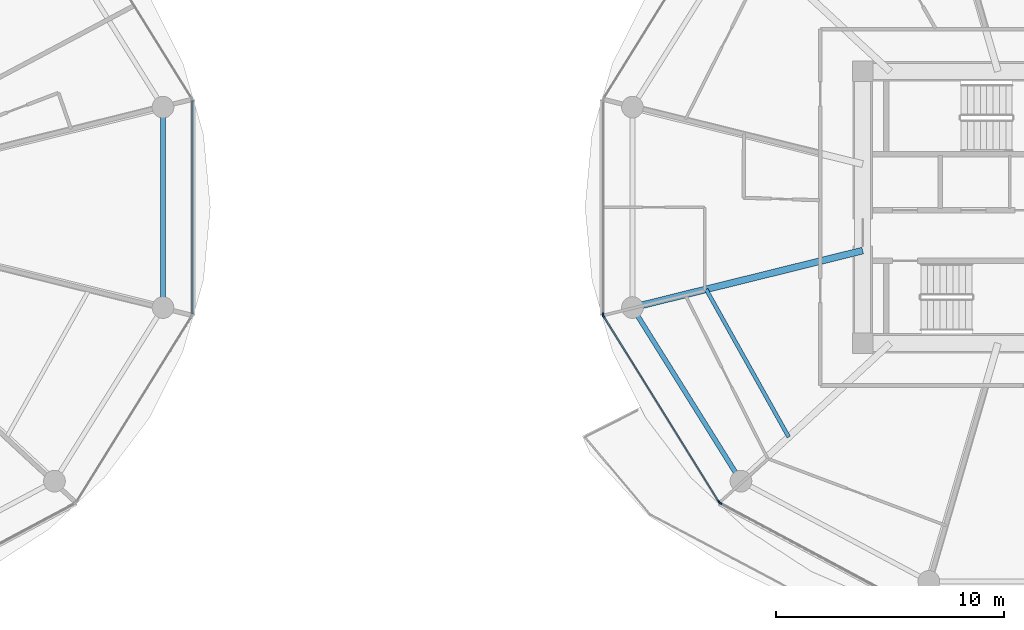
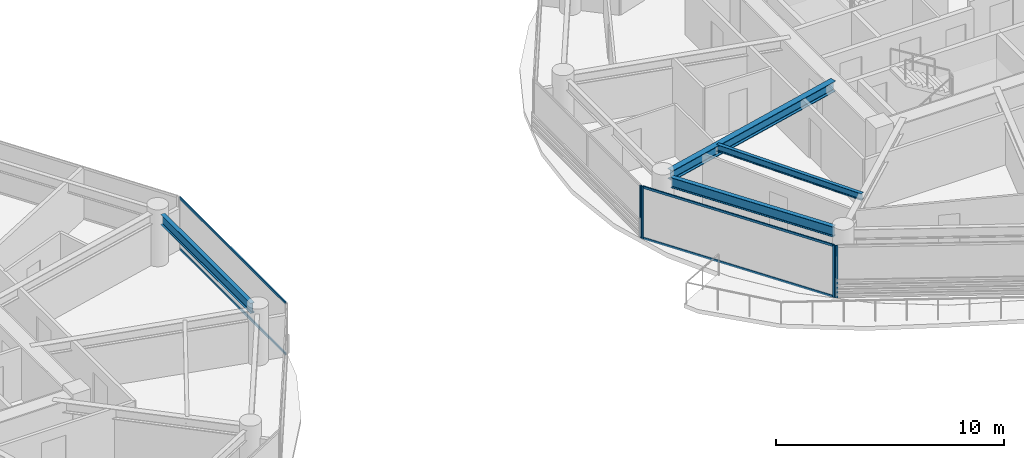
# One storey, part 6 of 25: 8 members, 4 beams, 4 elements without a shape of their own.
"""IFC4 building model written with IfcOpenShell, lengths in metres."""

from ifc_helpers import new_model, si_unit, direction, frame, origin, origin_2d, place, context, subcontext, project, spatial, rectangle, i_section, extrude, source, transform, mapped, material, layer, layer_set, material_profile, profile_set, type_object, type_shapes, element, aggregate, save


model = new_model("IFC4")

# Units and contexts
model_context = context("Model", 3, precision=1e-05, world=origin(), true_north=direction((0.0, 1.0)))
body_context = subcontext(model_context, "Body", "Model", "MODEL_VIEW")
ifc_project = project(units=[si_unit("LENGTHUNIT", "METRE"), si_unit("AREAUNIT", "SQUARE_METRE"), si_unit("VOLUMEUNIT", "CUBIC_METRE"), si_unit("PLANEANGLEUNIT", "RADIAN"), si_unit("MASSUNIT", "GRAM", prefix="KILO")], contexts=[model_context])

# Site, building, storey
site_placement = place(None, origin())
site = spatial("IfcSite", under=ifc_project, at=site_placement, CompositionType="ELEMENT")
building_placement = place(site_placement, origin())
building = spatial("IfcBuilding", under=site, at=building_placement, Name="Norrkilde Senior Care Towers", CompositionType="ELEMENT")
storey_placement = place(building_placement, frame((0.0, 0.0, 27.699951171875)))
storey = spatial("IfcBuildingStorey", under=building, at=storey_placement, Name="L07", CompositionType="ELEMENT", Elevation=27.699951171875)

# Beams
ifc_material_1 = material(Name="Steel S355", Category="steel")
ifc_material_profile_1 = material_profile(ifc_material_1, i_section(OverallWidth=0.2099609375, OverallDepth=0.550048828125, WebThickness=0.010986328125, FlangeThickness=0.01708984375, FilletRadius=0.02392578125, at=origin_2d()), Name="IPE 550")
ifc_profile_set_1 = profile_set([ifc_material_profile_1], Name="Steel S355")
beam_type_1 = type_object("IfcBeamType", Name="Perimeter Ring Spandrel Z1 IPE550", PredefinedType="SPANDREL", material=ifc_profile_set_1)
shared_shape_1 = source(origin(), body_context, "Body", "SweptSolid", [
    extrude(i_section(OverallWidth=0.2099609375, OverallDepth=0.550048828125, WebThickness=0.010986328125, FlangeThickness=0.01708984375, FilletRadius=0.02392578125, at=origin_2d()), origin(), (0.0, 0.0, 1.0), 8.090576171875),
])
beam_1_placement = place(storey_placement, frame((10.505859375, -4.755859375, 2.51513671875), z_axis=(0.530004364821, -0.84799491347, 0.0), x_axis=(0.84799491347, 0.530004364821, 0.0)))
element("IfcBeam", 1, at=beam_1_placement, inside=storey, type_object=beam_type_1, Name="L07 Drum E Perimeter Spandrel 07", PredefinedType="SPANDREL", context=body_context, shape_type="MappedRepresentation", body=[
    mapped(shared_shape_1, transform((0.0, 0.0, 0.0), x_axis=(1.0, 0.0, 0.0), y_axis=(0.0, 1.0, 0.0), z_axis=(0.0, 0.0, 1.0), scale=1.0)),
])
ifc_material_profile_2 = material_profile(ifc_material_1, i_section(OverallWidth=0.300048828125, OverallDepth=0.550048828125, WebThickness=0.014892578125, FlangeThickness=0.029052734375, FilletRadius=0.027099609375, at=origin_2d()), Name="HEB 550")
ifc_profile_set_2 = profile_set([ifc_material_profile_2], Name="Steel S355")
beam_type_2 = type_object("IfcBeamType", Name="Radial Floor Beam Z1 HEB550", PredefinedType="BEAM", material=ifc_profile_set_2)
shared_shape_2 = source(origin(), body_context, "Body", "SweptSolid", [
    extrude(i_section(OverallWidth=0.300048828125, OverallDepth=0.550048828125, WebThickness=0.014892578125, FlangeThickness=0.029052734375, FilletRadius=0.027099609375, at=origin_2d()), origin(), (0.0, 0.0, 1.0), 9.94384765625),
])
type_shapes(beam_type_2, [shared_shape_2])
beam_2_placement = place(storey_placement, frame((20.35009765625, -1.893310546875, 2.51513671875), z_axis=(-0.970707425182, -0.240264634718, 0.0), x_axis=(0.240264634718, -0.970707425182, 0.0)))
element("IfcBeam", 2, at=beam_2_placement, inside=storey, type_object=beam_type_2, Name="L07 Drum E Radial Floor Beam 07", PredefinedType="BEAM", context=body_context, shape_type="MappedRepresentation", body=[
    mapped(shared_shape_2, transform((0.0, 0.0, 0.0), x_axis=(1.0, 0.0, 0.0), y_axis=(0.0, 1.0, 0.0), z_axis=(0.0, 0.0, 1.0), scale=1.0)),
])
shared_shape_3 = source(origin(), body_context, "Body", "SweptSolid", [
    extrude(i_section(OverallWidth=0.2099609375, OverallDepth=0.550048828125, WebThickness=0.010986328125, FlangeThickness=0.01708984375, FilletRadius=0.02392578125, at=origin_2d()), origin(), (0.0, 0.0, 1.0), 7.90380859375),
])
type_shapes(beam_type_1, [shared_shape_1, shared_shape_3])
beam_3_placement = place(storey_placement, frame((-10.275146484375, -3.951904296875, 2.51513671875), z_axis=(0.0, 1.0, 0.0), x_axis=(-1.0, 0.0, 0.0)))
element("IfcBeam", 3, at=beam_3_placement, inside=storey, type_object=beam_type_1, Name="L07 Drum W Perimeter Spandrel 12", PredefinedType="SPANDREL", context=body_context, shape_type="MappedRepresentation", body=[
    mapped(shared_shape_3, transform((0.0, 0.0, 0.0), x_axis=(1.0, 0.0, 0.0), y_axis=(0.0, 1.0, 0.0), z_axis=(0.0, 0.0, 1.0), scale=1.0)),
])
ifc_material_profile_3 = material_profile(ifc_material_1, i_section(OverallWidth=0.169921875, OverallDepth=0.360107421875, WebThickness=0.008056640625, FlangeThickness=0.0126953125, FilletRadius=0.01806640625, at=origin_2d()), Name="IPE 360")
ifc_profile_set_3 = profile_set([ifc_material_profile_3], Name="Steel S355")
beam_type_3 = type_object("IfcBeamType", Name="Secondary Floor Joist IPE360", PredefinedType="JOIST", material=ifc_profile_set_3)
shared_shape_4 = source(origin(), body_context, "Body", "SweptSolid", [
    extrude(i_section(OverallWidth=0.169921875, OverallDepth=0.360107421875, WebThickness=0.008056640625, FlangeThickness=0.0126953125, FilletRadius=0.01806640625, at=origin_2d()), origin(), (0.0, 0.0, 1.0), 7.40771484375),
])
type_shapes(beam_type_3, [shared_shape_4])
beam_4_placement = place(storey_placement, frame((13.499267578125, -3.589111328125, 2.610107421875), z_axis=(0.488167754092, -0.872749817453, 0.0), x_axis=(0.872749817453, 0.488167754092, 0.0)))
element("IfcBeam", 4, at=beam_4_placement, inside=storey, type_object=beam_type_3, Name="L07 Drum E Secondary Floor Joist 3", PredefinedType="JOIST", context=body_context, shape_type="MappedRepresentation", body=[
    mapped(shared_shape_4, transform((0.0, 0.0, 0.0), x_axis=(1.0, 0.0, 0.0), y_axis=(0.0, 1.0, 0.0), z_axis=(0.0, 0.0, 1.0), scale=1.0)),
])

# Curtain wall, member
ifc_material_2 = material(Name="Triple Low-E Insulated Glazing", Category="glass")
ifc_layer = layer(ifc_material_2, 0.199951171875)
ifc_layer_set = layer_set([ifc_layer], Name="Triple Low-E Insulated Glazing")
curtain_wall_type = type_object("IfcCurtainWallType", Name="CW2 Zone 1 Memory Care Curtain Wall", PredefinedType="NOTDEFINED", material=ifc_layer_set)
curtain_wall_1_placement = place(storey_placement, origin())
curtain_wall_1 = element("IfcCurtainWall", 5, at=curtain_wall_1_placement, inside=storey, type_object=curtain_wall_type, Name="L07 Drum E Curtain Wall 05", PredefinedType="NOTDEFINED")
ifc_material_3 = material(Name="Anodised Aluminium", Category="aluminium")
ifc_material_profile_4 = material_profile(ifc_material_3, rectangle(XDim=0.06494140625, YDim=0.159912109375, at=origin_2d()), Name="ALU MULL 65x160")
ifc_profile_set_4 = profile_set([ifc_material_profile_4], Name="Anodised Aluminium")
member_type_1 = type_object("IfcMemberType", Name="Curtain Wall Mullion Z1-Z2 65x160", PredefinedType="MULLION", material=ifc_profile_set_4)
shared_shape_5 = source(origin(), body_context, "Body", "SweptSolid", [
    extrude(rectangle(XDim=0.06494140625, YDim=0.159912109375, at=origin_2d()), origin(), (0.0, 0.0, 1.0), 2.7900390625),
])
type_shapes(member_type_1, [shared_shape_5])
member_1_placement = place(storey_placement, frame((8.990478515625, -4.69873046875, 0.0), z_axis=(0.0, 0.0, 1.0), x_axis=(-1.0, 0.0, 0.0)))
member_1 = element("IfcMember", 6, at=member_1_placement, type_object=member_type_1, Name="CW-2 mullion 1", PredefinedType="MULLION", context=body_context, shape_type="MappedRepresentation", body=[
    mapped(shared_shape_5, transform((0.0, 0.0, 0.0), x_axis=(1.0, 0.0, 0.0), y_axis=(0.0, 1.0, 0.0), z_axis=(0.0, 0.0, 1.0), scale=1.0)),
])
aggregate(curtain_wall_1, [member_1])

# Curtain wall, members
curtain_wall_2_placement = place(storey_placement, origin())
curtain_wall_2 = element("IfcCurtainWall", 7, at=curtain_wall_2_placement, inside=storey, type_object=curtain_wall_type, Name="L07 Drum E Curtain Wall 06", PredefinedType="NOTDEFINED")
member_2_placement = place(storey_placement, frame((14.06689453125, -12.898193359375, 0.0), z_axis=(0.0, 0.0, 1.0), x_axis=(-0.849305943117, -0.527900951871, 0.0)))
member_2 = element("IfcMember", 8, at=member_2_placement, type_object=member_type_1, Name="CW-2 mullion 1", PredefinedType="MULLION", context=body_context, shape_type="MappedRepresentation", body=[
    mapped(shared_shape_5, transform((0.0, 0.0, 0.0), x_axis=(1.0, 0.0, 0.0), y_axis=(0.0, 1.0, 0.0), z_axis=(0.0, 0.0, 1.0), scale=1.0)),
])
member_3_placement = place(storey_placement, frame((9.0078125, -4.7587890625, 0.0), z_axis=(0.0, 0.0, 1.0), x_axis=(-0.849305943117, -0.527900951871, 0.0)))
member_3 = element("IfcMember", 9, at=member_3_placement, type_object=member_type_1, Name="CW-2 mullion 2", PredefinedType="MULLION", context=body_context, shape_type="MappedRepresentation", body=[
    mapped(shared_shape_5, transform((0.0, 0.0, 0.0), x_axis=(1.0, 0.0, 0.0), y_axis=(0.0, 1.0, 0.0), z_axis=(0.0, 0.0, 1.0), scale=1.0)),
])

# Curtain wall, member
curtain_wall_3_placement = place(storey_placement, origin())
curtain_wall_3 = element("IfcCurtainWall", 10, at=curtain_wall_3_placement, inside=storey, type_object=curtain_wall_type, Name="L07 Drum E Curtain Wall 07", PredefinedType="NOTDEFINED")
member_4_placement = place(storey_placement, frame((14.11279296875, -12.941162109375, 0.0), z_axis=(0.0, 0.0, 1.0), x_axis=(-0.472607802456, -0.881272866403, 0.0)))
member_4 = element("IfcMember", 11, at=member_4_placement, type_object=member_type_1, Name="CW-2 mullion 2", PredefinedType="MULLION", context=body_context, shape_type="MappedRepresentation", body=[
    mapped(shared_shape_5, transform((0.0, 0.0, 0.0), x_axis=(1.0, 0.0, 0.0), y_axis=(0.0, 1.0, 0.0), z_axis=(0.0, 0.0, 1.0), scale=1.0)),
])
aggregate(curtain_wall_3, [member_4])

# Member
ifc_material_profile_5 = material_profile(ifc_material_3, rectangle(XDim=0.06005859375, YDim=0.1201171875, at=origin_2d()), Name="ALU TRAN 60x120")
ifc_profile_set_5 = profile_set([ifc_material_profile_5], Name="Anodised Aluminium")
member_type_2 = type_object("IfcMemberType", Name="Curtain Wall Transom Typical 60x120", PredefinedType="USERDEFINED", material=ifc_profile_set_5)
shared_shape_6 = source(origin(), body_context, "Body", "SweptSolid", [
    extrude(rectangle(XDim=0.06005859375, YDim=0.1201171875, at=origin_2d()), origin(), (0.0, 0.0, 1.0), 9.5185546875),
])
member_5_placement = place(storey_placement, frame((14.0498046875, -12.87060546875, 0.030029296875), z_axis=(-0.527901620669, 0.849305527413, 0.0), x_axis=(-0.849305527413, -0.527901620669, 0.0)))
member_5 = element("IfcMember", 12, at=member_5_placement, type_object=member_type_2, Name="CW-2 transom 1.1", ObjectType="TRANSOM", PredefinedType="USERDEFINED", context=body_context, shape_type="MappedRepresentation", body=[
    mapped(shared_shape_6, transform((0.0, 0.0, 0.0), x_axis=(1.0, 0.0, 0.0), y_axis=(0.0, 1.0, 0.0), z_axis=(0.0, 0.0, 1.0), scale=1.0)),
])

member_6_placement = place(storey_placement, frame((14.0498046875, -12.87060546875, 2.760009765625), z_axis=(-0.527901620669, 0.849305527413, 0.0), x_axis=(-0.849305527413, -0.527901620669, 0.0)))
member_6 = element("IfcMember", 13, at=member_6_placement, type_object=member_type_2, Name="CW-2 transom 1.2", ObjectType="TRANSOM", PredefinedType="USERDEFINED", context=body_context, shape_type="MappedRepresentation", body=[
    mapped(shared_shape_6, transform((0.0, 0.0, 0.0), x_axis=(1.0, 0.0, 0.0), y_axis=(0.0, 1.0, 0.0), z_axis=(0.0, 0.0, 1.0), scale=1.0)),
])

aggregate(curtain_wall_2, [member_2, member_3, member_5, member_6])

# Curtain wall, members
curtain_wall_4_placement = place(storey_placement, origin())
curtain_wall_4 = element("IfcCurtainWall", 14, at=curtain_wall_4_placement, inside=storey, type_object=curtain_wall_type, Name="L07 Drum W Curtain Wall 11", PredefinedType="NOTDEFINED")
shared_shape_7 = source(origin(), body_context, "Body", "SweptSolid", [
    extrude(rectangle(XDim=0.06005859375, YDim=0.1201171875, at=origin_2d()), origin(), (0.0, 0.0, 1.0), 9.33251953125),
])
type_shapes(member_type_2, [shared_shape_6, shared_shape_7])
member_7_placement = place(storey_placement, frame((-8.990478515625, 4.666259765625, 0.030029296875), z_axis=(0.0, -1.0, 0.0), x_axis=(1.0, 0.0, 0.0)))
member_7 = element("IfcMember", 15, at=member_7_placement, type_object=member_type_2, Name="CW-2 transom 1.1", ObjectType="TRANSOM", PredefinedType="USERDEFINED", context=body_context, shape_type="MappedRepresentation", body=[
    mapped(shared_shape_7, transform((0.0, 0.0, 0.0), x_axis=(1.0, 0.0, 0.0), y_axis=(0.0, 1.0, 0.0), z_axis=(0.0, 0.0, 1.0), scale=1.0)),
])
member_8_placement = place(storey_placement, frame((-8.990478515625, 4.666259765625, 2.760009765625), z_axis=(0.0, -1.0, 0.0), x_axis=(1.0, 0.0, 0.0)))
member_8 = element("IfcMember", 16, at=member_8_placement, type_object=member_type_2, Name="CW-2 transom 1.2", ObjectType="TRANSOM", PredefinedType="USERDEFINED", context=body_context, shape_type="MappedRepresentation", body=[
    mapped(shared_shape_7, transform((0.0, 0.0, 0.0), x_axis=(1.0, 0.0, 0.0), y_axis=(0.0, 1.0, 0.0), z_axis=(0.0, 0.0, 1.0), scale=1.0)),
])
aggregate(curtain_wall_4, [member_7, member_8])

save(model, "model.ifc")
